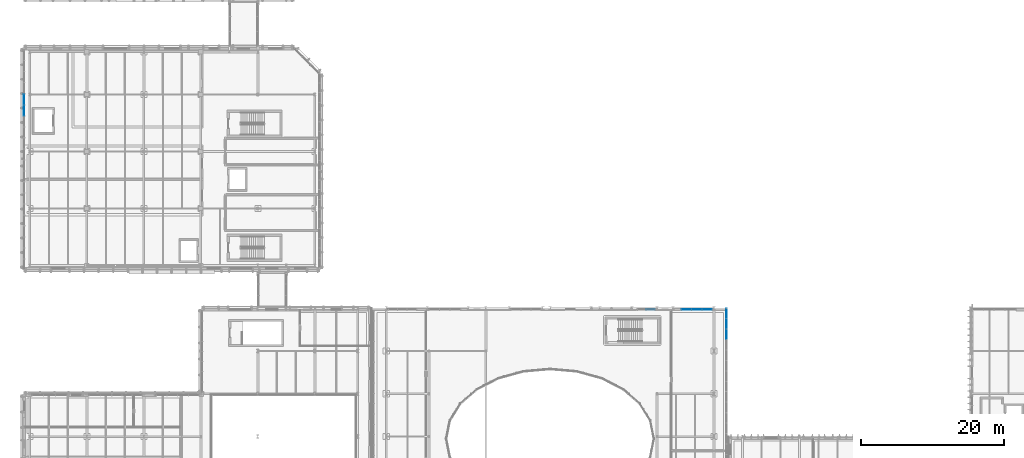
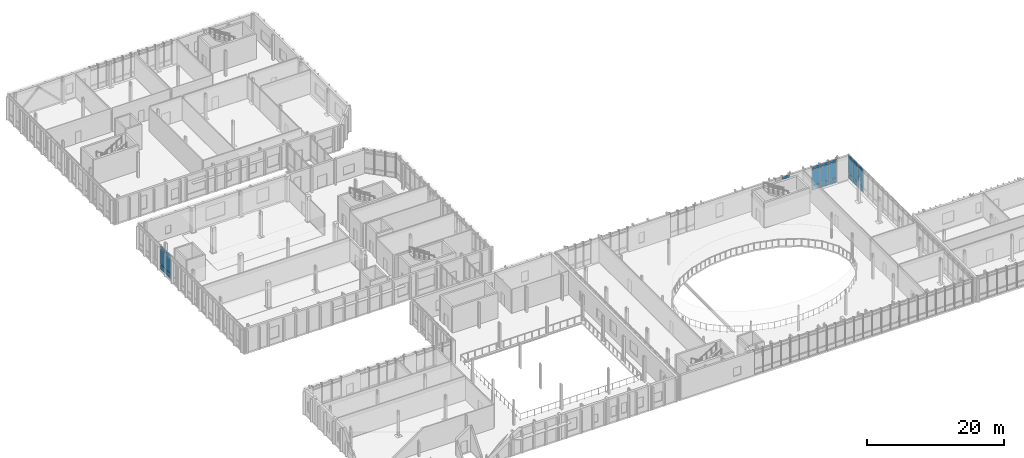
# One storey, part 56 of 100: 25 plates, 4 elements without a shape of their own.
"""IFC4 building model written with IfcOpenShell, lengths in metres."""

from ifc_helpers import new_model, si_unit, direction, frame, origin, origin_2d, place, context, subcontext, project, spatial, rectangle, extrude, material, layer, layer_set, type_object, element, aggregate, save


model = new_model("IFC4")

# Units and contexts
model_context = context("Model", 3, precision=1e-05, world=origin(), true_north=direction((0.0, 1.0)))
body_context = subcontext(model_context, "Body", "Model", "MODEL_VIEW")
ifc_project = project(units=[si_unit("LENGTHUNIT", "METRE"), si_unit("AREAUNIT", "SQUARE_METRE"), si_unit("VOLUMEUNIT", "CUBIC_METRE"), si_unit("PLANEANGLEUNIT", "RADIAN"), si_unit("MASSUNIT", "GRAM", prefix="KILO")], contexts=[model_context])

# Site, building, storey
site_placement = place(None, origin())
site = spatial("IfcSite", under=ifc_project, at=site_placement, CompositionType="ELEMENT")
building_placement = place(site_placement, origin())
building = spatial("IfcBuilding", under=site, at=building_placement, Name="Cymarion Research Institute", CompositionType="ELEMENT")
storey_placement = place(building_placement, frame((0.0, 0.0, 9.300048828125)))
storey = spatial("IfcBuildingStorey", under=building, at=storey_placement, Name="L02", CompositionType="ELEMENT", Elevation=9.300048828125)

# Curtain wall, plates
ifc_material_1 = material(Name="Anodised aluminium unitised curtain wall with Low-E glazing", Category="aluminium")
curtain_wall_type_1 = type_object("IfcCurtainWallType", Name="UNITISED CURTAIN WALL CW08 7320X4250", PredefinedType="NOTDEFINED", material=ifc_material_1)
curtain_wall_1_placement = place(storey_placement, origin())
curtain_wall_1 = element("IfcCurtainWall", 1, at=curtain_wall_1_placement, inside=storey, type_object=curtain_wall_type_1, Name="L02 V2 unitised curtain wall CW08 #82", PredefinedType="NOTDEFINED")
ifc_material_2 = material(Name="Insulated anodised aluminium spandrel panel", Category="aluminium")
ifc_layer_1 = layer(ifc_material_2, 0.06005859375)
ifc_layer_set_1 = layer_set([ifc_layer_1], Name="Insulated anodised aluminium spandrel panel")
plate_type_1 = type_object("IfcPlateType", Name="INSULATED ALUMINIUM SPANDREL PANEL SP01 60MM", PredefinedType="SHEET", material=ifc_layer_set_1)
plate_1_placement = place(storey_placement, frame((104.340087890625, 37.840087890625, 0.059814453125), z_axis=(0.0, 0.0, 1.0), x_axis=(0.0, 1.0, 0.0)))
plate_1 = element("IfcPlate", 2, at=plate_1_placement, type_object=plate_type_1, Name="CW08 panel 3.1", PredefinedType="SHEET", context=body_context, shape_type="SweptSolid", body=[
    extrude(rectangle(XDim=1.404052734375, YDim=0.06005859375, at=origin_2d()), origin(), (0.0, 0.0, 1.0), 0.81005859375),
])
plate_2_placement = place(storey_placement, frame((104.340087890625, 37.840087890625, 3.72998046875), z_axis=(0.0, 0.0, 1.0), x_axis=(0.0, 1.0, 0.0)))
plate_2 = element("IfcPlate", 3, at=plate_2_placement, type_object=plate_type_1, Name="CW08 panel 3.3", PredefinedType="SHEET", context=body_context, shape_type="SweptSolid", body=[
    extrude(rectangle(XDim=1.404052734375, YDim=0.06005859375, at=origin_2d()), origin(), (0.0, 0.0, 1.0), 0.4599609375),
])
plate_3_placement = place(storey_placement, frame((104.340087890625, 39.303955078125, 0.059814453125), z_axis=(0.0, 0.0, 1.0), x_axis=(0.0, 1.0, 0.0)))
plate_3 = element("IfcPlate", 4, at=plate_3_placement, type_object=plate_type_1, Name="CW08 panel 4.1", PredefinedType="SHEET", context=body_context, shape_type="SweptSolid", body=[
    extrude(rectangle(XDim=1.404052734375, YDim=0.06005859375, at=origin_2d()), origin(), (0.0, 0.0, 1.0), 0.81005859375),
])
plate_4_placement = place(storey_placement, frame((104.340087890625, 39.303955078125, 3.72998046875), z_axis=(0.0, 0.0, 1.0), x_axis=(0.0, 1.0, 0.0)))
plate_4 = element("IfcPlate", 5, at=plate_4_placement, type_object=plate_type_1, Name="CW08 panel 4.3", PredefinedType="SHEET", context=body_context, shape_type="SweptSolid", body=[
    extrude(rectangle(XDim=1.404052734375, YDim=0.06005859375, at=origin_2d()), origin(), (0.0, 0.0, 1.0), 0.4599609375),
])
plate_5_placement = place(storey_placement, frame((104.340087890625, 40.7529296875, 0.059814453125), z_axis=(0.0, 0.0, 1.0), x_axis=(0.0, 1.0, 0.0)))
plate_5 = element("IfcPlate", 6, at=plate_5_placement, type_object=plate_type_1, Name="CW08 panel 5.1", PredefinedType="SHEET", context=body_context, shape_type="SweptSolid", body=[
    extrude(rectangle(XDim=1.3740234375, YDim=0.06005859375, at=origin_2d()), origin(), (0.0, 0.0, 1.0), 0.81005859375),
])
plate_6_placement = place(storey_placement, frame((104.340087890625, 40.7529296875, 3.72998046875), z_axis=(0.0, 0.0, 1.0), x_axis=(0.0, 1.0, 0.0)))
plate_6 = element("IfcPlate", 7, at=plate_6_placement, type_object=plate_type_1, Name="CW08 panel 5.3", PredefinedType="SHEET", context=body_context, shape_type="SweptSolid", body=[
    extrude(rectangle(XDim=1.3740234375, YDim=0.06005859375, at=origin_2d()), origin(), (0.0, 0.0, 1.0), 0.4599609375),
])

curtain_wall_type_2 = type_object("IfcCurtainWallType", Name="UNITISED CURTAIN WALL CW09 4330X4250", PredefinedType="NOTDEFINED", material=ifc_material_1)
curtain_wall_2_placement = place(storey_placement, origin())
curtain_wall_2 = element("IfcCurtainWall", 8, at=curtain_wall_2_placement, inside=storey, type_object=curtain_wall_type_2, Name="L02 V2 unitised curtain wall CW09 #83", PredefinedType="NOTDEFINED")
plate_7_placement = place(storey_placement, frame((101.603515625, 41.340087890625, 0.059814453125), z_axis=(0.0, 0.0, 1.0), x_axis=(-1.0, 0.0, 0.0)))
plate_7 = element("IfcPlate", 9, at=plate_7_placement, type_object=plate_type_1, Name="CW09 panel 1.1", PredefinedType="SHEET", context=body_context, shape_type="SweptSolid", body=[
    extrude(rectangle(XDim=1.35302734375, YDim=0.06005859375, at=origin_2d()), origin(), (0.0, 0.0, 1.0), 0.81005859375),
])
plate_8_placement = place(storey_placement, frame((101.603515625, 41.340087890625, 3.72998046875), z_axis=(0.0, 0.0, 1.0), x_axis=(-1.0, 0.0, 0.0)))
plate_8 = element("IfcPlate", 10, at=plate_8_placement, type_object=plate_type_1, Name="CW09 panel 1.3", PredefinedType="SHEET", context=body_context, shape_type="SweptSolid", body=[
    extrude(rectangle(XDim=1.35302734375, YDim=0.06005859375, at=origin_2d()), origin(), (0.0, 0.0, 1.0), 0.4599609375),
])
plate_9_placement = place(storey_placement, frame((100.17529296875, 41.340087890625, 0.059814453125), z_axis=(0.0, 0.0, 1.0), x_axis=(-1.0, 0.0, 0.0)))
plate_9 = element("IfcPlate", 11, at=plate_9_placement, type_object=plate_type_1, Name="CW09 panel 2.1", PredefinedType="SHEET", context=body_context, shape_type="SweptSolid", body=[
    extrude(rectangle(XDim=1.383056640625, YDim=0.06005859375, at=origin_2d()), origin(), (0.0, 0.0, 1.0), 0.81005859375),
])
plate_10_placement = place(storey_placement, frame((100.17529296875, 41.340087890625, 3.72998046875), z_axis=(0.0, 0.0, 1.0), x_axis=(-1.0, 0.0, 0.0)))
plate_10 = element("IfcPlate", 12, at=plate_10_placement, type_object=plate_type_1, Name="CW09 panel 2.3", PredefinedType="SHEET", context=body_context, shape_type="SweptSolid", body=[
    extrude(rectangle(XDim=1.383056640625, YDim=0.06005859375, at=origin_2d()), origin(), (0.0, 0.0, 1.0), 0.4599609375),
])
plate_11_placement = place(storey_placement, frame((98.747314453125, 41.340087890625, 0.059814453125), z_axis=(0.0, 0.0, 1.0), x_axis=(-1.0, 0.0, 0.0)))
plate_11 = element("IfcPlate", 13, at=plate_11_placement, type_object=plate_type_1, Name="CW09 panel 3.1", PredefinedType="SHEET", context=body_context, shape_type="SweptSolid", body=[
    extrude(rectangle(XDim=1.35302734375, YDim=0.06005859375, at=origin_2d()), origin(), (0.0, 0.0, 1.0), 0.81005859375),
])
plate_12_placement = place(storey_placement, frame((98.747314453125, 41.340087890625, 3.72998046875), z_axis=(0.0, 0.0, 1.0), x_axis=(-1.0, 0.0, 0.0)))
plate_12 = element("IfcPlate", 14, at=plate_12_placement, type_object=plate_type_1, Name="CW09 panel 3.3", PredefinedType="SHEET", context=body_context, shape_type="SweptSolid", body=[
    extrude(rectangle(XDim=1.35302734375, YDim=0.06005859375, at=origin_2d()), origin(), (0.0, 0.0, 1.0), 0.4599609375),
])

# Curtain wall, plate
curtain_wall_type_3 = type_object("IfcCurtainWallType", Name="UNITISED CURTAIN WALL CW10 2520X4250", PredefinedType="NOTDEFINED", material=ifc_material_1)
curtain_wall_3_placement = place(storey_placement, origin())
curtain_wall_3 = element("IfcCurtainWall", 15, at=curtain_wall_3_placement, inside=storey, type_object=curtain_wall_type_3, Name="L02 V2 unitised curtain wall CW10 #84", PredefinedType="NOTDEFINED")
plate_13_placement = place(storey_placement, frame((93.69580078125, 41.340087890625, 3.72998046875), z_axis=(0.0, 0.0, 1.0), x_axis=(-1.0, 0.0, 0.0)))
plate_13 = element("IfcPlate", 16, at=plate_13_placement, type_object=plate_type_1, Name="CW10 panel 1.3", PredefinedType="SHEET", context=body_context, shape_type="SweptSolid", body=[
    extrude(rectangle(XDim=1.168212890625, YDim=0.06005859375, at=origin_2d()), origin(), (0.0, 0.0, 1.0), 0.4599609375),
])
aggregate(curtain_wall_3, [plate_13])

# Curtain wall, plates
curtain_wall_type_4 = type_object("IfcCurtainWallType", Name="UNITISED CURTAIN WALL CW22 6180X4250", PredefinedType="NOTDEFINED", material=ifc_material_1)
curtain_wall_4_placement = place(storey_placement, origin())
curtain_wall_4 = element("IfcCurtainWall", 17, at=curtain_wall_4_placement, inside=storey, type_object=curtain_wall_type_4, Name="L02 V4 unitised curtain wall CW22 #104", PredefinedType="NOTDEFINED")
plate_14_placement = place(storey_placement, frame((5.77001953125, 70.8154296875, 0.059814453125), z_axis=(0.0, 0.0, 1.0), x_axis=(0.0, -1.0, 0.0)))
plate_14 = element("IfcPlate", 18, at=plate_14_placement, type_object=plate_type_1, Name="CW22 panel 1.1", PredefinedType="SHEET", context=body_context, shape_type="SweptSolid", body=[
    extrude(rectangle(XDim=1.453857421875, YDim=0.06005859375, at=origin_2d()), origin(), (0.0, 0.0, 1.0), 0.81005859375),
])
plate_15_placement = place(storey_placement, frame((5.77001953125, 70.8154296875, 3.72998046875), z_axis=(0.0, 0.0, 1.0), x_axis=(0.0, -1.0, 0.0)))
plate_15 = element("IfcPlate", 19, at=plate_15_placement, type_object=plate_type_1, Name="CW22 panel 1.3", PredefinedType="SHEET", context=body_context, shape_type="SweptSolid", body=[
    extrude(rectangle(XDim=1.453857421875, YDim=0.06005859375, at=origin_2d()), origin(), (0.0, 0.0, 1.0), 0.4599609375),
])
plate_16_placement = place(storey_placement, frame((5.77001953125, 69.28662109375, 0.059814453125), z_axis=(0.0, 0.0, 1.0), x_axis=(0.0, -1.0, 0.0)))
plate_16 = element("IfcPlate", 20, at=plate_16_placement, type_object=plate_type_1, Name="CW22 panel 2.1", PredefinedType="SHEET", context=body_context, shape_type="SweptSolid", body=[
    extrude(rectangle(XDim=1.48388671875, YDim=0.06005859375, at=origin_2d()), origin(), (0.0, 0.0, 1.0), 0.81005859375),
])
plate_17_placement = place(storey_placement, frame((5.77001953125, 69.28662109375, 3.72998046875), z_axis=(0.0, 0.0, 1.0), x_axis=(0.0, -1.0, 0.0)))
plate_17 = element("IfcPlate", 21, at=plate_17_placement, type_object=plate_type_1, Name="CW22 panel 2.3", PredefinedType="SHEET", context=body_context, shape_type="SweptSolid", body=[
    extrude(rectangle(XDim=1.48388671875, YDim=0.06005859375, at=origin_2d()), origin(), (0.0, 0.0, 1.0), 0.4599609375),
])

# Plate
ifc_material_3 = material(Name="Low-E double solar-control glazing", Category="glass")
ifc_layer_2 = layer(ifc_material_3, 0.035888671875)
ifc_layer_set_2 = layer_set([ifc_layer_2], Name="Low-E double solar-control glazing")
plate_type_2 = type_object("IfcPlateType", Name="SOLAR CONTROL GLAZED VISION PANEL GP01 36MM", PredefinedType="CURTAIN_PANEL", material=ifc_layer_set_2)
plate_18_placement = place(storey_placement, frame((104.340087890625, 37.840087890625, 0.93017578125), z_axis=(0.0, 0.0, 1.0), x_axis=(0.0, 1.0, 0.0)))
plate_18 = element("IfcPlate", 22, at=plate_18_placement, type_object=plate_type_2, Name="CW08 panel 3.2", PredefinedType="CURTAIN_PANEL", context=body_context, shape_type="SweptSolid", body=[
    extrude(rectangle(XDim=1.404052734375, YDim=0.035888671875, at=origin_2d()), origin(), (0.0, 0.0, 1.0), 2.739990234375),
])

plate_19_placement = place(storey_placement, frame((104.340087890625, 39.303955078125, 0.93017578125), z_axis=(0.0, 0.0, 1.0), x_axis=(0.0, 1.0, 0.0)))
plate_19 = element("IfcPlate", 23, at=plate_19_placement, type_object=plate_type_2, Name="CW08 panel 4.2", PredefinedType="CURTAIN_PANEL", context=body_context, shape_type="SweptSolid", body=[
    extrude(rectangle(XDim=1.404052734375, YDim=0.035888671875, at=origin_2d()), origin(), (0.0, 0.0, 1.0), 2.739990234375),
])

plate_20_placement = place(storey_placement, frame((104.340087890625, 40.7529296875, 0.93017578125), z_axis=(0.0, 0.0, 1.0), x_axis=(0.0, 1.0, 0.0)))
plate_20 = element("IfcPlate", 24, at=plate_20_placement, type_object=plate_type_2, Name="CW08 panel 5.2", PredefinedType="CURTAIN_PANEL", context=body_context, shape_type="SweptSolid", body=[
    extrude(rectangle(XDim=1.3740234375, YDim=0.035888671875, at=origin_2d()), origin(), (0.0, 0.0, 1.0), 2.739990234375),
])

aggregate(curtain_wall_1, [plate_1, plate_18, plate_2, plate_3, plate_19, plate_4, plate_5, plate_20, plate_6])

plate_21_placement = place(storey_placement, frame((101.603515625, 41.340087890625, 0.93017578125), z_axis=(0.0, 0.0, 1.0), x_axis=(-1.0, 0.0, 0.0)))
plate_21 = element("IfcPlate", 25, at=plate_21_placement, type_object=plate_type_2, Name="CW09 panel 1.2", PredefinedType="CURTAIN_PANEL", context=body_context, shape_type="SweptSolid", body=[
    extrude(rectangle(XDim=1.35302734375, YDim=0.035888671875, at=origin_2d()), origin(), (0.0, 0.0, 1.0), 2.739990234375),
])

plate_22_placement = place(storey_placement, frame((100.17529296875, 41.340087890625, 0.93017578125), z_axis=(0.0, 0.0, 1.0), x_axis=(-1.0, 0.0, 0.0)))
plate_22 = element("IfcPlate", 26, at=plate_22_placement, type_object=plate_type_2, Name="CW09 panel 2.2", PredefinedType="CURTAIN_PANEL", context=body_context, shape_type="SweptSolid", body=[
    extrude(rectangle(XDim=1.383056640625, YDim=0.035888671875, at=origin_2d()), origin(), (0.0, 0.0, 1.0), 2.739990234375),
])

plate_23_placement = place(storey_placement, frame((98.747314453125, 41.340087890625, 0.93017578125), z_axis=(0.0, 0.0, 1.0), x_axis=(-1.0, 0.0, 0.0)))
plate_23 = element("IfcPlate", 27, at=plate_23_placement, type_object=plate_type_2, Name="CW09 panel 3.2", PredefinedType="CURTAIN_PANEL", context=body_context, shape_type="SweptSolid", body=[
    extrude(rectangle(XDim=1.35302734375, YDim=0.035888671875, at=origin_2d()), origin(), (0.0, 0.0, 1.0), 2.739990234375),
])

aggregate(curtain_wall_2, [plate_7, plate_21, plate_8, plate_9, plate_22, plate_10, plate_11, plate_23, plate_12])

plate_24_placement = place(storey_placement, frame((5.77001953125, 70.8154296875, 0.93017578125), z_axis=(0.0, 0.0, 1.0), x_axis=(0.0, -1.0, 0.0)))
plate_24 = element("IfcPlate", 28, at=plate_24_placement, type_object=plate_type_2, Name="CW22 panel 1.2", PredefinedType="CURTAIN_PANEL", context=body_context, shape_type="SweptSolid", body=[
    extrude(rectangle(XDim=1.453857421875, YDim=0.035888671875, at=origin_2d()), origin(), (0.0, 0.0, 1.0), 2.739990234375),
])

plate_25_placement = place(storey_placement, frame((5.77001953125, 69.28662109375, 0.93017578125), z_axis=(0.0, 0.0, 1.0), x_axis=(0.0, -1.0, 0.0)))
plate_25 = element("IfcPlate", 29, at=plate_25_placement, type_object=plate_type_2, Name="CW22 panel 2.2", PredefinedType="CURTAIN_PANEL", context=body_context, shape_type="SweptSolid", body=[
    extrude(rectangle(XDim=1.48388671875, YDim=0.035888671875, at=origin_2d()), origin(), (0.0, 0.0, 1.0), 2.739990234375),
])

aggregate(curtain_wall_4, [plate_14, plate_24, plate_15, plate_16, plate_25, plate_17])

save(model, "model.ifc")
